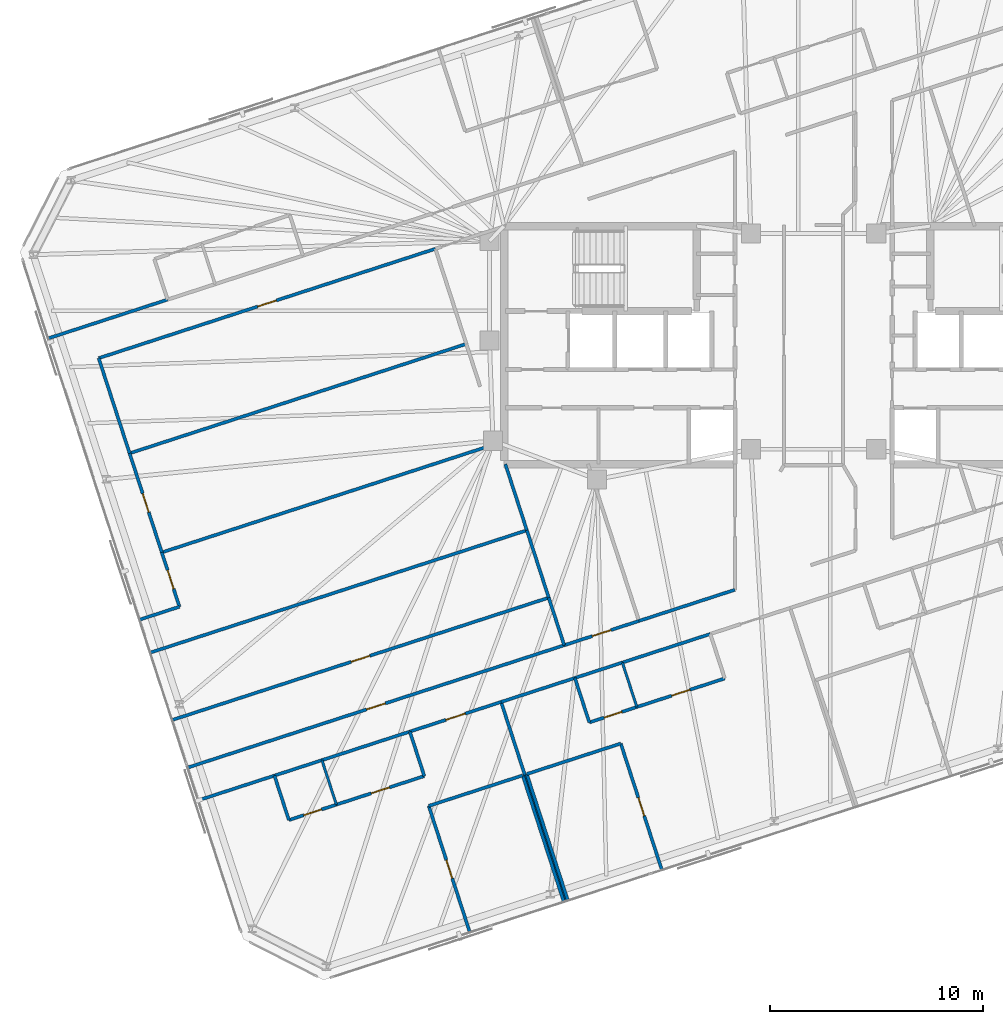
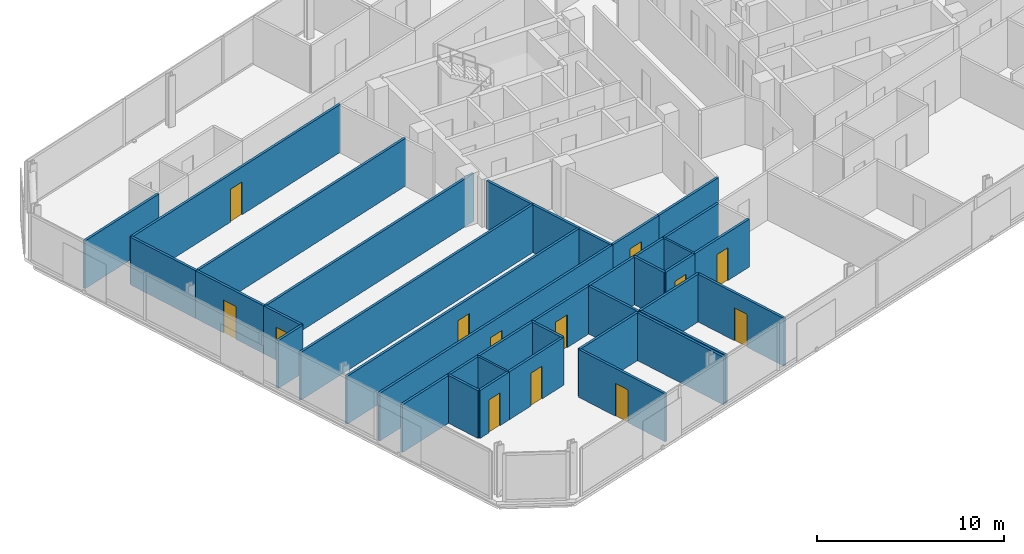
# One storey, part 13 of 19: 39 walls, 13 doors, 13 openings.
"""IFC4 building model written with IfcOpenShell, lengths in metres."""

import ifcopenshell
import ifcopenshell.guid

model = None  # the IFC model being written
_history = None  # IfcOwnerHistory: only IFC2X3 demands one
_inside = {}  # id of a spatial element -> (the spatial element, [elements in it])
_under = {}  # id of a project, library or spatial element -> (it, [spatial elements below it])
_declared = {}  # id of a project -> (the project, [libraries it declares])
_typed = {}  # id of a type object -> (the type object, [elements of that type])
_made_of = {}  # id of a material, layer set ... -> (it, [elements and type objects made of it])


def new_model(schema):
    """Start an empty IFC model of exactly this schema.

    Asked for "IFC4X3", IfcOpenShell would pick the latest addendum, in which some entities
    have other attributes; the version numbers below select the first issue.
    IFC2X3 requires an IfcOwnerHistory on every rooted entity: one is made here for all.
    """
    global model, _history
    if schema == "IFC4X3":
        model = ifcopenshell.file(schema_version=(4, 3, 0, 0))
    else:
        model = ifcopenshell.file(schema=schema)
    _inside.clear()
    _under.clear()
    _declared.clear()
    _typed.clear()
    _made_of.clear()
    _history = None
    if model.schema == "IFC2X3":
        org = make("IfcOrganization", Name="unknown")
        user = make(
            "IfcPersonAndOrganization",
            ThePerson=make("IfcPerson", FamilyName="unknown"),
            TheOrganization=org,
        )
        app = make(
            "IfcApplication",
            ApplicationDeveloper=org,
            Version="unknown",
            ApplicationFullName="unknown",
            ApplicationIdentifier="unknown",
        )
        _history = make(
            "IfcOwnerHistory",
            OwningUser=user,
            OwningApplication=app,
            ChangeAction="ADDED",
            CreationDate=0,
        )
    return model


def make(cls, **values):
    """One entity of the class cls with the attributes given. An attribute that is None is left unset."""
    return model.create_entity(
        cls, **{name: value for name, value in values.items() if value is not None}
    )


def rooted(cls, **values):
    """An entity with a GlobalId (a new one), such as an element, a storey or a relation."""
    return make(cls, GlobalId=ifcopenshell.guid.new(), OwnerHistory=_history, **values)


def si_unit(unit_type, name, prefix=None):
    """IfcSIUnit, for example si_unit("LENGTHUNIT", "METRE", prefix="MILLI")."""
    return make("IfcSIUnit", UnitType=unit_type, Prefix=prefix, Name=name)


def assignment(units):
    """IfcUnitAssignment: the units of a project."""
    return None if units is None else make("IfcUnitAssignment", Units=units)


def point(xyz):
    """IfcCartesianPoint."""
    return None if xyz is None else make("IfcCartesianPoint", Coordinates=xyz)


def direction(xyz):
    """IfcDirection."""
    return None if xyz is None else make("IfcDirection", DirectionRatios=xyz)


def frame(location, z_axis=None, x_axis=None):
    """IfcAxis2Placement3D, a coordinate frame: its origin and axes. An axis left out is left unset."""
    return make(
        "IfcAxis2Placement3D",
        Location=point(location),
        Axis=direction(z_axis),
        RefDirection=direction(x_axis),
    )


def frame_2d(location, x_axis=None):
    """IfcAxis2Placement2D, a coordinate frame in the plane: its origin and x axis."""
    return make(
        "IfcAxis2Placement2D", Location=point(location), RefDirection=direction(x_axis)
    )


def origin():
    """The frame at (0, 0, 0) with its axes left unset."""
    return frame((0.0, 0.0, 0.0))


def place(relative_to, where):
    """IfcLocalPlacement: puts the frame where relative to a parent placement (None: the world)."""
    return make(
        "IfcLocalPlacement", PlacementRelTo=relative_to, RelativePlacement=where
    )


def context(
    kind, dimensions, precision=None, world=None, true_north=None, identifier=None
):
    """IfcGeometricRepresentationContext, for example the 3D "Model" context."""
    return make(
        "IfcGeometricRepresentationContext",
        ContextIdentifier=identifier,
        ContextType=kind,
        CoordinateSpaceDimension=dimensions,
        Precision=precision,
        WorldCoordinateSystem=world,
        TrueNorth=true_north,
    )


def subcontext(parent, identifier, kind, view, scale=None):
    """IfcGeometricRepresentationSubContext, for example "Body" below "Model"."""
    return make(
        "IfcGeometricRepresentationSubContext",
        ContextIdentifier=identifier,
        ContextType=kind,
        ParentContext=parent,
        TargetScale=scale,
        TargetView=view,
    )


def project(units=None, contexts=None):
    """IfcProject with its units and contexts."""
    return rooted(
        "IfcProject",
        Name="project",
        RepresentationContexts=contexts,
        UnitsInContext=assignment(units),
    )


def spatial(cls, under=None, at=None, **own):
    """A site, building, storey or space (cls), placed at a placement, below another one or the project."""
    s = rooted(cls, ObjectPlacement=at, **own)
    if under is not None:
        _under.setdefault(under.id(), (under, []))[1].append(s)
    return s


def profile(cls, at=None, kind="AREA", **sizes):
    """A parametric profile (cls). Its sizes go by their IFC names, for example OverallWidth=200.0."""
    return make(cls, ProfileType=kind, Position=at, **sizes)


def rectangle(**sizes):
    """IfcRectangleProfileDef."""
    return profile("IfcRectangleProfileDef", **sizes)


def extrude(swept, where, along, depth):
    """IfcExtrudedAreaSolid: the profile swept, set in the frame where, extruded along a direction by depth."""
    return make(
        "IfcExtrudedAreaSolid",
        SweptArea=swept,
        Position=where,
        ExtrudedDirection=direction(along),
        Depth=depth,
    )


def shape(context_of_items, identifier, shape_type, items):
    """IfcShapeRepresentation: the items that make up one representation, for example the "Body"."""
    return make(
        "IfcShapeRepresentation",
        ContextOfItems=context_of_items,
        RepresentationIdentifier=identifier,
        RepresentationType=shape_type,
        Items=items,
    )


def material(Name=None, Category=None):
    """IfcMaterial."""
    return make("IfcMaterial", Name=Name, Category=Category)


def layer(
    of_material, thickness, ventilated=None, Name=None, Category=None, Priority=None
):
    """IfcMaterialLayer: one layer of a wall or slab, of a material (None: an air gap)."""
    return make(
        "IfcMaterialLayer",
        Material=of_material,
        LayerThickness=thickness,
        IsVentilated=ventilated,
        Name=Name,
        Category=Category,
        Priority=Priority,
    )


def layer_set(layers, Name=None):
    """IfcMaterialLayerSet."""
    return make("IfcMaterialLayerSet", MaterialLayers=layers, LayerSetName=Name)


def made_of(thing, what):
    """Note that an element or type object is made of a material, layer set ...; save() writes the relation."""
    if what is not None:
        _made_of.setdefault(what.id(), (what, []))[1].append(thing)
    return thing


def type_object(cls, material=None, **own):
    """A type object (cls), such as IfcWallType, which elements share."""
    return made_of(rooted(cls, **own), material)


def element(
    cls,
    number,
    at=None,
    inside=None,
    cuts=None,
    type_object=None,
    material=None,
    context=None,
    identifier="Body",
    shape_type=None,
    held_by="IfcProductDefinitionShape",
    body=None,
    shapes=None,
    **own,
):
    """One element of the class cls, such as IfcWall. Its Tag is "e" and its number.

    at: its placement. inside: the storey or other place that contains it. cuts: it is an
    opening in that element (IfcRelVoidsElement). A single representation is given by context,
    identifier, shape_type and body (its items); several are given by shapes. held_by: the class
    of the entity that holds the representations. save() writes the other relations.
    """
    e = rooted(cls, Tag="e%d" % number, ObjectPlacement=at, **own)
    if body is not None:
        shapes = [shape(context, identifier, shape_type, body)]
    if shapes is not None:
        e.Representation = make(held_by, Representations=shapes)
    if inside is not None:
        _inside.setdefault(inside.id(), (inside, []))[1].append(e)
    if cuts is not None:
        rooted(
            "IfcRelVoidsElement", RelatingBuildingElement=cuts, RelatedOpeningElement=e
        )
    if type_object is not None:
        _typed.setdefault(type_object.id(), (type_object, []))[1].append(e)
    return made_of(e, material)


def fill(opening, filler):
    """IfcRelFillsElement: the door or window that sits in an opening."""
    return rooted(
        "IfcRelFillsElement",
        RelatingOpeningElement=opening,
        RelatedBuildingElement=filler,
    )


def aggregate(whole, parts):
    """IfcRelAggregates: a whole, such as a stair, and the parts it consists of."""
    return rooted("IfcRelAggregates", RelatingObject=whole, RelatedObjects=parts)


def save(model, path):
    """Write the relations noted so far, then the file.

    IfcRelAggregates (storeys below a building ...), IfcRelContainedInSpatialStructure (elements
    in a storey), IfcRelDefinesByType, IfcRelAssociatesMaterial and IfcRelDeclares: one each for
    every whole, place, type object, material and project.
    """
    for whole, parts in _under.values():
        aggregate(whole, parts)
    for where, things in _inside.values():
        rooted(
            "IfcRelContainedInSpatialStructure",
            RelatedElements=things,
            RelatingStructure=where,
        )
    for kind, things in _typed.values():
        rooted("IfcRelDefinesByType", RelatedObjects=things, RelatingType=kind)
    for what, things in _made_of.values():
        rooted("IfcRelAssociatesMaterial", RelatedObjects=things, RelatingMaterial=what)
    for by, libraries in _declared.values():
        rooted("IfcRelDeclares", RelatingContext=by, RelatedDefinitions=libraries)
    model.write(path)


model = new_model("IFC4")

# Units and contexts
model_context = context("Model", 3, precision=1e-05, world=origin(), true_north=direction((0.0, 1.0)))
body_context = subcontext(model_context, "Body", "Model", "MODEL_VIEW")
ifc_project = project(units=[si_unit("LENGTHUNIT", "METRE"), si_unit("AREAUNIT", "SQUARE_METRE"), si_unit("VOLUMEUNIT", "CUBIC_METRE"), si_unit("PLANEANGLEUNIT", "RADIAN"), si_unit("MASSUNIT", "GRAM", prefix="KILO")], contexts=[model_context])

# Site, building, storey
site_placement = place(None, origin())
site = spatial("IfcSite", under=ifc_project, at=site_placement, CompositionType="ELEMENT")
building_placement = place(site_placement, origin())
building = spatial("IfcBuilding", under=site, at=building_placement, Name="Menara Jurai Vektor", CompositionType="ELEMENT")
storey_placement = place(building_placement, frame((0.0, 0.0, 220.949951171875)))
storey = spatial("IfcBuildingStorey", under=building, at=storey_placement, Name="L58", CompositionType="ELEMENT", Elevation=220.949951171875)

# Walls
ifc_material_1 = material(Name="Gypsum Fireboard Partition", Category="gypsum")
ifc_layer_1 = layer(ifc_material_1, 0.14990234375)
ifc_layer_set_1 = layer_set([ifc_layer_1], Name="Gypsum Fireboard Partition")
wall_type_1 = type_object("IfcWallType", Name="INT-WALL-CORR-150", PredefinedType="PARTITIONING", material=ifc_layer_set_1)
wall_1_placement = place(storey_placement, frame((-36.01220703125, 0.314208984375, 0.0), z_axis=(0.0, 0.0, 1.0), x_axis=(0.951065348244, 0.308989811111, 0.0)))
element("IfcWall", 1, at=wall_1_placement, inside=storey, type_object=wall_type_1, Name="Interior Wall IW-150 L58", PredefinedType="PARTITIONING", context=body_context, shape_type="SweptSolid", body=[
    extrude(rectangle(XDim=5.906982421875, YDim=0.14990234375, at=frame_2d((2.95361328125, 0.0))), origin(), (0.0, 0.0, 1.0), 3.125),
])
wall_2_placement = place(storey_placement, frame((-28.949951171875, -21.42138671875, 0.0), z_axis=(0.0, 0.0, 1.0), x_axis=(0.951052151329, 0.309030428036, 0.0)))
element("IfcWall", 2, at=wall_2_placement, inside=storey, type_object=wall_type_1, Name="Interior Wall IW-150 L58", PredefinedType="PARTITIONING", context=body_context, shape_type="SweptSolid", body=[
    extrude(rectangle(XDim=3.77001953125, YDim=0.14990234375, at=frame_2d((1.885009765625, 0.0))), origin(), (0.0, 0.0, 1.0), 3.125),
])

# Wall, opening, door
wall_3_placement = place(storey_placement, frame((-18.992431640625, -18.185791015625, 0.0), z_axis=(0.0, 0.0, 1.0), x_axis=(0.951067846467, 0.308982121516, 0.0)))
wall_3 = element("IfcWall", 3, at=wall_3_placement, inside=storey, type_object=wall_type_1, Name="Interior Wall IW-150 L58", PredefinedType="PARTITIONING", context=body_context, shape_type="SweptSolid", body=[
    extrude(rectangle(XDim=4.51416015625, YDim=0.14990234375, at=frame_2d((2.257080078125, 0.0))), origin(), (0.0, 0.0, 1.0), 3.125),
])
opening_1_placement = place(wall_3_placement, frame((1.781982421875, 0.0, 0.0)))
opening_1 = element("IfcOpeningElement", 4, at=opening_1_placement, cuts=wall_3, Name="Opening D58-18", PredefinedType="OPENING", context=body_context, shape_type="SweptSolid", body=[
    extrude(rectangle(XDim=0.949951171875, YDim=2.14990234375, at=frame_2d((0.47509765625, 1.074951171875))), frame((0.0, 0.0849609375, 0.0), z_axis=(0.0, -1.0, 0.0), x_axis=(1.0, 0.0, 0.0)), (0.0, 0.0, 1.0), 0.169921875),
])
ifc_material_2 = material(Name="Solid Core Timber Fire Door", Category="wood")
door_type_1 = type_object("IfcDoorType", Name="DR-ENTRY-950", OperationType="NOTDEFINED", PredefinedType="DOOR", material=ifc_material_2)
door_1_placement = place(opening_1_placement, origin())
door_1 = element("IfcDoor", 5, at=door_1_placement, inside=storey, type_object=door_type_1, Name="Interior Door D58-18", OperationType="SINGLE_SWING_RIGHT", OverallHeight=2.14990234375, OverallWidth=0.949951171875, PredefinedType="DOOR", context=body_context, shape_type="SweptSolid", body=[
    extrude(rectangle(XDim=0.949951171875, YDim=2.14990234375, at=frame_2d((0.47509765625, 1.074951171875))), frame((0.0, 0.02490234375, 0.0), z_axis=(0.0, -1.0, 0.0), x_axis=(1.0, 0.0, 0.0)), (0.0, 0.0, 1.0), 0.050048828125),
])
fill(opening_1, door_1)

# Walls
wall_4_placement = place(storey_placement, frame((-25.364501953125, -20.25634765625, 0.0), z_axis=(0.0, 0.0, 1.0), x_axis=(0.951076048914, 0.308956872689, 0.0)))
element("IfcWall", 6, at=wall_4_placement, inside=storey, type_object=wall_type_1, Name="Interior Wall IW-150 L58", PredefinedType="PARTITIONING", context=body_context, shape_type="SweptSolid", body=[
    extrude(rectangle(XDim=2.35009765625, YDim=0.14990234375, at=frame_2d((1.175048828125, 0.0))), origin(), (0.0, 0.0, 1.0), 3.125),
])
wall_5_placement = place(storey_placement, frame((-23.12939453125, -19.5302734375, 0.0), z_axis=(0.0, 0.0, 1.0), x_axis=(0.951036130958, 0.309079726951, 0.0)))
element("IfcWall", 7, at=wall_5_placement, inside=storey, type_object=wall_type_1, Name="Interior Wall IW-150 L58", PredefinedType="PARTITIONING", context=body_context, shape_type="SweptSolid", body=[
    extrude(rectangle(XDim=4.349853515625, YDim=0.14990234375, at=frame_2d((2.1748046875, 0.0))), origin(), (0.0, 0.0, 1.0), 3.125),
])
wall_6_placement = place(storey_placement, frame((-14.69921875, -16.791015625, 0.0), z_axis=(0.0, 0.0, 1.0), x_axis=(0.951050780541, 0.309034646652, 0.0)))
element("IfcWall", 8, at=wall_6_placement, inside=storey, type_object=wall_type_1, Name="Interior Wall IW-150 L58", PredefinedType="PARTITIONING", context=body_context, shape_type="SweptSolid", body=[
    extrude(rectangle(XDim=3.64990234375, YDim=0.14990234375, at=frame_2d((1.824951171875, 0.0))), origin(), (0.0, 0.0, 1.0), 3.125),
])
wall_7_placement = place(storey_placement, frame((-11.22802734375, -15.6630859375, 0.0), z_axis=(0.0, 0.0, 1.0), x_axis=(0.951076048914, 0.308956872689, 0.0)))
element("IfcWall", 9, at=wall_7_placement, inside=storey, type_object=wall_type_1, Name="Interior Wall IW-150 L58", PredefinedType="PARTITIONING", context=body_context, shape_type="SweptSolid", body=[
    extrude(rectangle(XDim=2.35009765625, YDim=0.14990234375, at=frame_2d((1.175048828125, 0.0))), origin(), (0.0, 0.0, 1.0), 3.125),
])
wall_8_placement = place(storey_placement, frame((-8.992919921875, -14.93701171875, 0.0), z_axis=(0.0, 0.0, 1.0), x_axis=(0.951052627573, 0.309028962374, 0.0)))
element("IfcWall", 10, at=wall_8_placement, inside=storey, type_object=wall_type_1, Name="Interior Wall IW-150 L58", PredefinedType="PARTITIONING", context=body_context, shape_type="SweptSolid", body=[
    extrude(rectangle(XDim=4.349853515625, YDim=0.14990234375, at=frame_2d((2.1748046875, 0.0))), origin(), (0.0, 0.0, 1.0), 3.125),
])

# Wall, opening, door
wall_9_placement = place(storey_placement, frame((-29.450439453125, -19.880615234375, 0.0), z_axis=(0.0, 0.0, 1.0), x_axis=(0.95105650271, 0.309017036186, 0.0)))
wall_9 = element("IfcWall", 11, at=wall_9_placement, inside=storey, type_object=wall_type_1, Name="Interior Wall IW-150 L58", PredefinedType="PARTITIONING", context=body_context, shape_type="SweptSolid", body=[
    extrude(rectangle(XDim=18.6318359375, YDim=0.14990234375, at=frame_2d((9.31591796875, 0.0))), origin(), (0.0, 0.0, 1.0), 3.125),
])
opening_2_placement = place(wall_9_placement, frame((8.85595703125, 0.0, 0.0)))
opening_2 = element("IfcOpeningElement", 12, at=opening_2_placement, cuts=wall_9, Name="Opening D58-34", PredefinedType="OPENING", context=body_context, shape_type="SweptSolid", body=[
    extrude(rectangle(XDim=0.919921875, YDim=2.14990234375, at=frame_2d((0.4599609375, 1.074951171875))), frame((0.0, 0.0849609375, 0.0), z_axis=(0.0, -1.0, 0.0), x_axis=(1.0, 0.0, 0.0)), (0.0, 0.0, 1.0), 0.169921875),
])
door_2_placement = place(opening_2_placement, origin())
door_2 = element("IfcDoor", 13, at=door_2_placement, inside=storey, type_object=door_type_1, Name="Interior Door D58-34", OperationType="SINGLE_SWING_RIGHT", OverallHeight=2.14990234375, OverallWidth=0.919921875, PredefinedType="DOOR", context=body_context, shape_type="SweptSolid", body=[
    extrude(rectangle(XDim=0.919921875, YDim=2.14990234375, at=frame_2d((0.4599609375, 1.074951171875))), frame((0.0, 0.02490234375, 0.0), z_axis=(0.0, -1.0, 0.0), x_axis=(1.0, 0.0, 0.0)), (0.0, 0.0, 1.0), 0.050048828125),
])
fill(opening_2, door_2)

# Wall
wall_10_placement = place(storey_placement, frame((-31.7119140625, -12.9208984375, 0.0), z_axis=(0.0, 0.0, 1.0), x_axis=(0.951054051148, 0.309024581215, 0.0)))
element("IfcWall", 14, at=wall_10_placement, inside=storey, type_object=wall_type_1, Name="Interior Wall IW-150 L58", PredefinedType="PARTITIONING", context=body_context, shape_type="SweptSolid", body=[
    extrude(rectangle(XDim=1.97509765625, YDim=0.14990234375, at=frame_2d((0.987548828125, 0.0))), origin(), (0.0, 0.0, 1.0), 3.125),
])

# Wall, opening, door
wall_11_placement = place(storey_placement, frame((-29.83349609375, -12.310546875, 0.0), z_axis=(0.0, 0.0, 1.0), x_axis=(-0.309044953986, 0.951047431213, 0.0)))
wall_11 = element("IfcWall", 15, at=wall_11_placement, inside=storey, type_object=wall_type_1, Name="Interior Wall IW-150 L58", PredefinedType="PARTITIONING", context=body_context, shape_type="SweptSolid", body=[
    extrude(rectangle(XDim=2.68505859375, YDim=0.14990234375, at=frame_2d((1.342529296875, 0.0))), origin(), (0.0, 0.0, 1.0), 3.125),
])
opening_3_placement = place(wall_11_placement, frame((0.882568359375, 0.0, 0.0)))
opening_3 = element("IfcOpeningElement", 16, at=opening_3_placement, cuts=wall_11, Name="Opening D58-36", PredefinedType="OPENING", context=body_context, shape_type="SweptSolid", body=[
    extrude(rectangle(XDim=0.919921875, YDim=2.14990234375, at=frame_2d((0.4599609375, 1.074951171875))), frame((0.0, 0.0849609375, 0.0), z_axis=(0.0, -1.0, 0.0), x_axis=(1.0, 0.0, 0.0)), (0.0, 0.0, 1.0), 0.169921875),
])
door_3_placement = place(opening_3_placement, origin())
door_3 = element("IfcDoor", 17, at=door_3_placement, inside=storey, type_object=door_type_1, Name="Interior Door D58-36", OperationType="SINGLE_SWING_RIGHT", OverallHeight=2.14990234375, OverallWidth=0.919921875, PredefinedType="DOOR", context=body_context, shape_type="SweptSolid", body=[
    extrude(rectangle(XDim=0.919921875, YDim=2.14990234375, at=frame_2d((0.4599609375, 1.074951171875))), frame((0.0, 0.02490234375, 0.0), z_axis=(0.0, -1.0, 0.0), x_axis=(1.0, 0.0, 0.0)), (0.0, 0.0, 1.0), 0.050048828125),
])
fill(opening_3, door_3)

wall_12_placement = place(storey_placement, frame((-30.663330078125, -9.7568359375, 0.0), z_axis=(0.0, 0.0, 1.0), x_axis=(-0.309019653166, 0.951055652397, 0.0)))
wall_12 = element("IfcWall", 18, at=wall_12_placement, inside=storey, type_object=wall_type_1, Name="Interior Wall IW-150 L58", PredefinedType="PARTITIONING", context=body_context, shape_type="SweptSolid", body=[
    extrude(rectangle(XDim=4.90380859375, YDim=0.14990234375, at=frame_2d((2.451904296875, 0.0))), origin(), (0.0, 0.0, 1.0), 3.125),
])
opening_4_placement = place(wall_12_placement, frame((1.991943359375, 0.0, 0.0)))
opening_4 = element("IfcOpeningElement", 19, at=opening_4_placement, cuts=wall_12, Name="Opening D58-37", PredefinedType="OPENING", context=body_context, shape_type="SweptSolid", body=[
    extrude(rectangle(XDim=0.919921875, YDim=2.14990234375, at=frame_2d((0.4599609375, 1.074951171875))), frame((0.0, 0.0849609375, 0.0), z_axis=(0.0, -1.0, 0.0), x_axis=(1.0, 0.0, 0.0)), (0.0, 0.0, 1.0), 0.169921875),
])
door_4_placement = place(opening_4_placement, origin())
door_4 = element("IfcDoor", 20, at=door_4_placement, inside=storey, type_object=door_type_1, Name="Interior Door D58-37", OperationType="SINGLE_SWING_LEFT", OverallHeight=2.14990234375, OverallWidth=0.919921875, PredefinedType="DOOR", context=body_context, shape_type="SweptSolid", body=[
    extrude(rectangle(XDim=0.919921875, YDim=2.14990234375, at=frame_2d((0.4599609375, 1.074951171875))), frame((0.0, 0.02490234375, 0.0), z_axis=(0.0, -1.0, 0.0), x_axis=(1.0, 0.0, 0.0)), (0.0, 0.0, 1.0), 0.050048828125),
])
fill(opening_4, door_4)

# Wall
wall_13_placement = place(storey_placement, frame((-32.1787109375, -5.093017578125, 0.0), z_axis=(0.0, 0.0, 1.0), x_axis=(-0.309014532869, 0.951057316083, 0.0)))
element("IfcWall", 21, at=wall_13_placement, inside=storey, type_object=wall_type_1, Name="Interior Wall IW-150 L58", PredefinedType="PARTITIONING", context=body_context, shape_type="SweptSolid", body=[
    extrude(rectangle(XDim=4.707275390625, YDim=0.14990234375, at=frame_2d((2.353515625, 0.0))), origin(), (0.0, 0.0, 1.0), 3.125),
])

# Wall, opening, door
wall_14_placement = place(storey_placement, frame((-33.63330078125, -0.6162109375, 0.0), z_axis=(0.0, 0.0, 1.0), x_axis=(0.951058192995, 0.309011833974, 0.0)))
wall_14 = element("IfcWall", 22, at=wall_14_placement, inside=storey, type_object=wall_type_1, Name="Interior Wall IW-150 L58", PredefinedType="PARTITIONING", context=body_context, shape_type="SweptSolid", body=[
    extrude(rectangle(XDim=16.656982421875, YDim=0.14990234375, at=frame_2d((8.32861328125, 0.0))), origin(), (0.0, 0.0, 1.0), 3.125),
])
opening_5_placement = place(wall_14_placement, frame((7.868408203125, 0.0, 0.0)))
opening_5 = element("IfcOpeningElement", 23, at=opening_5_placement, cuts=wall_14, Name="Opening D58-38", PredefinedType="OPENING", context=body_context, shape_type="SweptSolid", body=[
    extrude(rectangle(XDim=0.919921875, YDim=2.14990234375, at=frame_2d((0.4599609375, 1.074951171875))), frame((0.0, 0.0849609375, 0.0), z_axis=(0.0, -1.0, 0.0), x_axis=(1.0, 0.0, 0.0)), (0.0, 0.0, 1.0), 0.169921875),
])
door_5_placement = place(opening_5_placement, origin())
door_5 = element("IfcDoor", 24, at=door_5_placement, inside=storey, type_object=door_type_1, Name="Interior Door D58-38", OperationType="SINGLE_SWING_RIGHT", OverallHeight=2.14990234375, OverallWidth=0.919921875, PredefinedType="DOOR", context=body_context, shape_type="SweptSolid", body=[
    extrude(rectangle(XDim=0.919921875, YDim=2.14990234375, at=frame_2d((0.4599609375, 1.074951171875))), frame((0.0, 0.02490234375, 0.0), z_axis=(0.0, -1.0, 0.0), x_axis=(1.0, 0.0, 0.0)), (0.0, 0.0, 1.0), 0.050048828125),
])
fill(opening_5, door_5)

wall_15_placement = place(storey_placement, frame((-11.73046875, -14.123046875, 0.0), z_axis=(0.0, 0.0, 1.0), x_axis=(0.951052502763, 0.309029346483, 0.0)))
wall_15 = element("IfcWall", 25, at=wall_15_placement, inside=storey, type_object=wall_type_1, Name="Interior Wall IW-150 L58", PredefinedType="PARTITIONING", context=body_context, shape_type="SweptSolid", body=[
    extrude(rectangle(XDim=3.697998046875, YDim=0.14990234375, at=frame_2d((1.84912109375, 0.0))), origin(), (0.0, 0.0, 1.0), 3.125),
])
opening_6_placement = place(wall_15_placement, frame((1.388916015625, 0.0, 0.0)))
opening_6 = element("IfcOpeningElement", 26, at=opening_6_placement, cuts=wall_15, Name="Opening D58-43", PredefinedType="OPENING", context=body_context, shape_type="SweptSolid", body=[
    extrude(rectangle(XDim=0.919921875, YDim=2.14990234375, at=frame_2d((0.4599609375, 1.074951171875))), frame((0.0, 0.0849609375, 0.0), z_axis=(0.0, -1.0, 0.0), x_axis=(1.0, 0.0, 0.0)), (0.0, 0.0, 1.0), 0.169921875),
])
door_6_placement = place(opening_6_placement, origin())
door_6 = element("IfcDoor", 27, at=door_6_placement, inside=storey, type_object=door_type_1, Name="Interior Door D58-43", OperationType="SINGLE_SWING_LEFT", OverallHeight=2.14990234375, OverallWidth=0.919921875, PredefinedType="DOOR", context=body_context, shape_type="SweptSolid", body=[
    extrude(rectangle(XDim=0.919921875, YDim=2.14990234375, at=frame_2d((0.4599609375, 1.074951171875))), frame((0.0, 0.02490234375, 0.0), z_axis=(0.0, -1.0, 0.0), x_axis=(1.0, 0.0, 0.0)), (0.0, 0.0, 1.0), 0.050048828125),
])
fill(opening_6, door_6)

# Walls
wall_16_placement = place(storey_placement, frame((-8.21337890625, -12.980224609375, 0.0), z_axis=(0.0, 0.0, 1.0), x_axis=(0.951058260096, 0.309011627456, 0.0)))
element("IfcWall", 28, at=wall_16_placement, inside=storey, type_object=wall_type_1, Name="Interior Wall IW-150 L58", PredefinedType="PARTITIONING", context=body_context, shape_type="SweptSolid", body=[
    extrude(rectangle(XDim=4.745849609375, YDim=0.14990234375, at=frame_2d((2.373046875, 0.0))), origin(), (0.0, 0.0, 1.0), 3.125),
])
wall_17_placement = place(storey_placement, frame((-24.6845703125, -22.3486328125, 0.0), z_axis=(0.0, 0.0, 1.0), x_axis=(-0.309060979314, 0.951042223598, 0.0)))
element("IfcWall", 29, at=wall_17_placement, inside=storey, type_object=wall_type_1, Name="Interior Wall IW-150 L58", PredefinedType="PARTITIONING", context=body_context, shape_type="SweptSolid", body=[
    extrude(rectangle(XDim=2.199951171875, YDim=0.14990234375, at=frame_2d((1.10009765625, 0.0))), origin(), (0.0, 0.0, 1.0), 3.125),
])

# Wall, opening, door
wall_18_placement = place(storey_placement, frame((-24.6845703125, -22.3486328125, 0.0), z_axis=(0.0, 0.0, 1.0), x_axis=(0.951066131077, 0.308987401554, 0.0)))
wall_18 = element("IfcWall", 30, at=wall_18_placement, inside=storey, type_object=wall_type_1, Name="Interior Wall IW-150 L58", PredefinedType="PARTITIONING", context=body_context, shape_type="SweptSolid", body=[
    extrude(rectangle(XDim=2.349853515625, YDim=0.14990234375, at=frame_2d((1.1748046875, 0.0))), origin(), (0.0, 0.0, 1.0), 3.125),
])
opening_7_placement = place(wall_18_placement, frame((0.735107421875, 0.0, 0.0)))
opening_7 = element("IfcOpeningElement", 31, at=opening_7_placement, cuts=wall_18, Name="Opening D58-19", PredefinedType="OPENING", context=body_context, shape_type="SweptSolid", body=[
    extrude(rectangle(XDim=0.8798828125, YDim=2.14990234375, at=frame_2d((0.43994140625, 1.074951171875))), frame((0.0, 0.0849609375, 0.0), z_axis=(0.0, -1.0, 0.0), x_axis=(1.0, 0.0, 0.0)), (0.0, 0.0, 1.0), 0.169921875),
])
ifc_material_3 = material(Name="Moisture-Resistant Timber Door", Category="wood")
door_type_2 = type_object("IfcDoorType", Name="DR-BATH-880", OperationType="NOTDEFINED", PredefinedType="DOOR", material=ifc_material_3)
door_7_placement = place(opening_7_placement, origin())
door_7 = element("IfcDoor", 32, at=door_7_placement, inside=storey, type_object=door_type_2, Name="Interior Door D58-19", OperationType="SINGLE_SWING_LEFT", OverallHeight=2.14990234375, OverallWidth=0.8798828125, PredefinedType="DOOR", context=body_context, shape_type="SweptSolid", body=[
    extrude(rectangle(XDim=0.8798828125, YDim=2.14990234375, at=frame_2d((0.43994140625, 1.074951171875))), frame((0.0, 0.02490234375, 0.0), z_axis=(0.0, -1.0, 0.0), x_axis=(1.0, 0.0, 0.0)), (0.0, 0.0, 1.0), 0.050048828125),
])
fill(opening_7, door_7)

wall_19_placement = place(storey_placement, frame((-22.44970703125, -21.62255859375, 0.0), z_axis=(0.0, 0.0, 1.0), x_axis=(0.951057987102, 0.309012467661, 0.0)))
wall_19 = element("IfcWall", 33, at=wall_19_placement, inside=storey, type_object=wall_type_1, Name="Interior Wall IW-150 L58", PredefinedType="PARTITIONING", context=body_context, shape_type="SweptSolid", body=[
    extrude(rectangle(XDim=4.35009765625, YDim=0.14990234375, at=frame_2d((2.175048828125, 0.0))), origin(), (0.0, 0.0, 1.0), 3.125),
])
opening_8_placement = place(wall_19_placement, frame((1.72509765625, 0.0, 0.0)))
opening_8 = element("IfcOpeningElement", 34, at=opening_8_placement, cuts=wall_19, Name="Opening D58-20", PredefinedType="OPENING", context=body_context, shape_type="SweptSolid", body=[
    extrude(rectangle(XDim=0.89990234375, YDim=2.14990234375, at=frame_2d((0.449951171875, 1.074951171875))), frame((0.0, 0.0849609375, 0.0), z_axis=(0.0, -1.0, 0.0), x_axis=(1.0, 0.0, 0.0)), (0.0, 0.0, 1.0), 0.169921875),
])
ifc_material_4 = material(Name="Acoustic Timber Interior Door", Category="wood")
door_type_3 = type_object("IfcDoorType", Name="DR-ROOM-900", OperationType="NOTDEFINED", PredefinedType="DOOR", material=ifc_material_4)
door_8_placement = place(opening_8_placement, origin())
door_8 = element("IfcDoor", 35, at=door_8_placement, inside=storey, type_object=door_type_3, Name="Interior Door D58-20", OperationType="SINGLE_SWING_RIGHT", OverallHeight=2.14990234375, OverallWidth=0.89990234375, PredefinedType="DOOR", context=body_context, shape_type="SweptSolid", body=[
    extrude(rectangle(XDim=0.89990234375, YDim=2.14990234375, at=frame_2d((0.449951171875, 1.074951171875))), frame((0.0, 0.02490234375, 0.0), z_axis=(0.0, -1.0, 0.0), x_axis=(1.0, 0.0, 0.0)), (0.0, 0.0, 1.0), 0.050048828125),
])
fill(opening_8, door_8)

# Wall
wall_20_placement = place(storey_placement, frame((-18.3125, -20.2783203125, 0.0), z_axis=(0.0, 0.0, 1.0), x_axis=(-0.309028364152, 0.951052821956, 0.0)))
element("IfcWall", 36, at=wall_20_placement, inside=storey, type_object=wall_type_1, Name="Interior Wall IW-150 L58", PredefinedType="PARTITIONING", context=body_context, shape_type="SweptSolid", body=[
    extrude(rectangle(XDim=2.2001953125, YDim=0.14990234375, at=frame_2d((1.10009765625, 0.0))), origin(), (0.0, 0.0, 1.0), 3.125),
])

# Wall, opening, door
wall_21_placement = place(storey_placement, frame((-16.169189453125, -27.63818359375, 0.0), z_axis=(0.0, 0.0, 1.0), x_axis=(-0.309049046683, 0.951046101272, 0.0)))
wall_21 = element("IfcWall", 37, at=wall_21_placement, inside=storey, type_object=wall_type_1, Name="Interior Wall IW-150 L58", PredefinedType="PARTITIONING", context=body_context, shape_type="SweptSolid", body=[
    extrude(rectangle(XDim=6.26220703125, YDim=0.14990234375, at=frame_2d((3.131103515625, 0.0))), origin(), (0.0, 0.0, 1.0), 3.125),
])
opening_9_placement = place(wall_21_placement, frame((2.680908203125, 0.0, 0.0)))
opening_9 = element("IfcOpeningElement", 38, at=opening_9_placement, cuts=wall_21, Name="Opening D58-21", PredefinedType="OPENING", context=body_context, shape_type="SweptSolid", body=[
    extrude(rectangle(XDim=0.89990234375, YDim=2.14990234375, at=frame_2d((0.449951171875, 1.074951171875))), frame((0.0, 0.0849609375, 0.0), z_axis=(0.0, -1.0, 0.0), x_axis=(1.0, 0.0, 0.0)), (0.0, 0.0, 1.0), 0.169921875),
])
door_9_placement = place(opening_9_placement, origin())
door_9 = element("IfcDoor", 39, at=door_9_placement, inside=storey, type_object=door_type_3, Name="Interior Door D58-21", OperationType="SINGLE_SWING_LEFT", OverallHeight=2.14990234375, OverallWidth=0.89990234375, PredefinedType="DOOR", context=body_context, shape_type="SweptSolid", body=[
    extrude(rectangle(XDim=0.89990234375, YDim=2.14990234375, at=frame_2d((0.449951171875, 1.074951171875))), frame((0.0, 0.02490234375, 0.0), z_axis=(0.0, -1.0, 0.0), x_axis=(1.0, 0.0, 0.0)), (0.0, 0.0, 1.0), 0.050048828125),
])
fill(opening_9, door_9)

# Walls
wall_22_placement = place(storey_placement, frame((-18.1044921875, -21.6826171875, 0.0), z_axis=(0.0, 0.0, 1.0), x_axis=(0.951055286502, 0.309020779263, 0.0)))
element("IfcWall", 40, at=wall_22_placement, inside=storey, type_object=wall_type_1, Name="Interior Wall IW-150 L58", PredefinedType="PARTITIONING", context=body_context, shape_type="SweptSolid", body=[
    extrude(rectangle(XDim=4.650146484375, YDim=0.14990234375, at=frame_2d((2.3251953125, 0.0))), origin(), (0.0, 0.0, 1.0), 3.125),
])
wall_23_placement = place(storey_placement, frame((-11.746826171875, -26.201171875, 0.0), z_axis=(0.0, 0.0, 1.0), x_axis=(-0.309013782848, 0.951057559777, 0.0)))
element("IfcWall", 41, at=wall_23_placement, inside=storey, type_object=wall_type_1, Name="Interior Wall IW-150 L58", PredefinedType="PARTITIONING", context=body_context, shape_type="SweptSolid", body=[
    extrude(rectangle(XDim=6.261962890625, YDim=0.14990234375, at=frame_2d((3.130859375, 0.0))), origin(), (0.0, 0.0, 1.0), 3.125),
])
wall_24_placement = place(storey_placement, frame((-11.65185546875, -26.17041015625, 0.0), z_axis=(0.0, 0.0, 1.0), x_axis=(-0.308999867152, 0.951062081097, 0.0)))
element("IfcWall", 42, at=wall_24_placement, inside=storey, type_object=wall_type_1, Name="Interior Wall IW-150 L58", PredefinedType="PARTITIONING", context=body_context, shape_type="SweptSolid", body=[
    extrude(rectangle(XDim=9.862060546875, YDim=0.14990234375, at=frame_2d((4.93115234375, 0.0))), origin(), (0.0, 0.0, 1.0), 3.125),
])
wall_25_placement = place(storey_placement, frame((-10.548095703125, -17.75537109375, 0.0), z_axis=(0.0, 0.0, 1.0), x_axis=(-0.309060979314, 0.951042223598, 0.0)))
element("IfcWall", 43, at=wall_25_placement, inside=storey, type_object=wall_type_1, Name="Interior Wall IW-150 L58", PredefinedType="PARTITIONING", context=body_context, shape_type="SweptSolid", body=[
    extrude(rectangle(XDim=2.199951171875, YDim=0.14990234375, at=frame_2d((1.10009765625, 0.0))), origin(), (0.0, 0.0, 1.0), 3.125),
])

# Wall, opening, door
wall_26_placement = place(storey_placement, frame((-10.548095703125, -17.75537109375, 0.0), z_axis=(0.0, 0.0, 1.0), x_axis=(0.951076048914, 0.308956872689, 0.0)))
wall_26 = element("IfcWall", 44, at=wall_26_placement, inside=storey, type_object=wall_type_1, Name="Interior Wall IW-150 L58", PredefinedType="PARTITIONING", context=body_context, shape_type="SweptSolid", body=[
    extrude(rectangle(XDim=2.35009765625, YDim=0.14990234375, at=frame_2d((1.175048828125, 0.0))), origin(), (0.0, 0.0, 1.0), 3.125),
])
opening_10_placement = place(wall_26_placement, frame((0.735107421875, 0.0, 0.0)))
opening_10 = element("IfcOpeningElement", 45, at=opening_10_placement, cuts=wall_26, Name="Opening D58-23", PredefinedType="OPENING", context=body_context, shape_type="SweptSolid", body=[
    extrude(rectangle(XDim=0.8798828125, YDim=2.14990234375, at=frame_2d((0.43994140625, 1.074951171875))), frame((0.0, 0.0849609375, 0.0), z_axis=(0.0, -1.0, 0.0), x_axis=(1.0, 0.0, 0.0)), (0.0, 0.0, 1.0), 0.169921875),
])
door_10_placement = place(opening_10_placement, origin())
door_10 = element("IfcDoor", 46, at=door_10_placement, inside=storey, type_object=door_type_2, Name="Interior Door D58-23", OperationType="SINGLE_SWING_LEFT", OverallHeight=2.14990234375, OverallWidth=0.8798828125, PredefinedType="DOOR", context=body_context, shape_type="SweptSolid", body=[
    extrude(rectangle(XDim=0.8798828125, YDim=2.14990234375, at=frame_2d((0.43994140625, 1.074951171875))), frame((0.0, 0.02490234375, 0.0), z_axis=(0.0, -1.0, 0.0), x_axis=(1.0, 0.0, 0.0)), (0.0, 0.0, 1.0), 0.050048828125),
])
fill(opening_10, door_10)

wall_27_placement = place(storey_placement, frame((-8.31298828125, -17.029296875, 0.0), z_axis=(0.0, 0.0, 1.0), x_axis=(0.951052627573, 0.309028962374, 0.0)))
wall_27 = element("IfcWall", 47, at=wall_27_placement, inside=storey, type_object=wall_type_1, Name="Interior Wall IW-150 L58", PredefinedType="PARTITIONING", context=body_context, shape_type="SweptSolid", body=[
    extrude(rectangle(XDim=4.349853515625, YDim=0.14990234375, at=frame_2d((2.1748046875, 0.0))), origin(), (0.0, 0.0, 1.0), 3.125),
])
opening_11_placement = place(wall_27_placement, frame((1.72509765625, 0.0, 0.0)))
opening_11 = element("IfcOpeningElement", 48, at=opening_11_placement, cuts=wall_27, Name="Opening D58-24", PredefinedType="OPENING", context=body_context, shape_type="SweptSolid", body=[
    extrude(rectangle(XDim=0.89990234375, YDim=2.14990234375, at=frame_2d((0.449951171875, 1.074951171875))), frame((0.0, 0.0849609375, 0.0), z_axis=(0.0, -1.0, 0.0), x_axis=(1.0, 0.0, 0.0)), (0.0, 0.0, 1.0), 0.169921875),
])
door_11_placement = place(opening_11_placement, origin())
door_11 = element("IfcDoor", 49, at=door_11_placement, inside=storey, type_object=door_type_3, Name="Interior Door D58-24", OperationType="SINGLE_SWING_RIGHT", OverallHeight=2.14990234375, OverallWidth=0.89990234375, PredefinedType="DOOR", context=body_context, shape_type="SweptSolid", body=[
    extrude(rectangle(XDim=0.89990234375, YDim=2.14990234375, at=frame_2d((0.449951171875, 1.074951171875))), frame((0.0, 0.02490234375, 0.0), z_axis=(0.0, -1.0, 0.0), x_axis=(1.0, 0.0, 0.0)), (0.0, 0.0, 1.0), 0.050048828125),
])
fill(opening_11, door_11)

# Walls
wall_28_placement = place(storey_placement, frame((-11.556640625, -26.139404296875, 0.0), z_axis=(0.0, 0.0, 1.0), x_axis=(-0.309013782848, 0.951057559777, 0.0)))
element("IfcWall", 50, at=wall_28_placement, inside=storey, type_object=wall_type_1, Name="Interior Wall IW-150 L58", PredefinedType="PARTITIONING", context=body_context, shape_type="SweptSolid", body=[
    extrude(rectangle(XDim=6.261962890625, YDim=0.14990234375, at=frame_2d((3.130859375, 0.0))), origin(), (0.0, 0.0, 1.0), 3.125),
])
wall_29_placement = place(storey_placement, frame((-13.49169921875, -20.183837890625, 0.0), z_axis=(0.0, 0.0, 1.0), x_axis=(0.951065702951, 0.308988719326, 0.0)))
element("IfcWall", 51, at=wall_29_placement, inside=storey, type_object=wall_type_1, Name="Interior Wall IW-150 L58", PredefinedType="PARTITIONING", context=body_context, shape_type="SweptSolid", body=[
    extrude(rectangle(XDim=4.64990234375, YDim=0.14990234375, at=frame_2d((2.324951171875, 0.0))), origin(), (0.0, 0.0, 1.0), 3.125),
])

# Wall, opening, door
wall_30_placement = place(storey_placement, frame((-7.13427734375, -24.702392578125, 0.0), z_axis=(0.0, 0.0, 1.0), x_axis=(-0.30902524124, 0.951053836687, 0.0)))
wall_30 = element("IfcWall", 52, at=wall_30_placement, inside=storey, type_object=wall_type_1, Name="Interior Wall IW-150 L58", PredefinedType="PARTITIONING", context=body_context, shape_type="SweptSolid", body=[
    extrude(rectangle(XDim=6.26171875, YDim=0.14990234375, at=frame_2d((3.130859375, 0.0))), origin(), (0.0, 0.0, 1.0), 3.125),
])
opening_12_placement = place(wall_30_placement, frame((2.680908203125, 0.0, 0.0)))
opening_12 = element("IfcOpeningElement", 53, at=opening_12_placement, cuts=wall_30, Name="Opening D58-25", PredefinedType="OPENING", context=body_context, shape_type="SweptSolid", body=[
    extrude(rectangle(XDim=0.89990234375, YDim=2.14990234375, at=frame_2d((0.449951171875, 1.074951171875))), frame((0.0, 0.0849609375, 0.0), z_axis=(0.0, -1.0, 0.0), x_axis=(1.0, 0.0, 0.0)), (0.0, 0.0, 1.0), 0.169921875),
])
door_12_placement = place(opening_12_placement, origin())
door_12 = element("IfcDoor", 54, at=door_12_placement, inside=storey, type_object=door_type_3, Name="Interior Door D58-25", OperationType="SINGLE_SWING_LEFT", OverallHeight=2.14990234375, OverallWidth=0.89990234375, PredefinedType="DOOR", context=body_context, shape_type="SweptSolid", body=[
    extrude(rectangle(XDim=0.89990234375, YDim=2.14990234375, at=frame_2d((0.449951171875, 1.074951171875))), frame((0.0, 0.02490234375, 0.0), z_axis=(0.0, -1.0, 0.0), x_axis=(1.0, 0.0, 0.0)), (0.0, 0.0, 1.0), 0.050048828125),
])
fill(opening_12, door_12)

wall_31_placement = place(storey_placement, frame((-30.177978515625, -17.641845703125, 0.0), z_axis=(0.0, 0.0, 1.0), x_axis=(0.95105650271, 0.309017036186, 0.0)))
wall_31 = element("IfcWall", 55, at=wall_31_placement, inside=storey, type_object=wall_type_1, Name="Interior Wall IW-150 L58", PredefinedType="PARTITIONING", context=body_context, shape_type="SweptSolid", body=[
    extrude(rectangle(XDim=18.6318359375, YDim=0.14990234375, at=frame_2d((9.31591796875, 0.0))), origin(), (0.0, 0.0, 1.0), 3.125),
])
opening_13_placement = place(wall_31_placement, frame((8.85595703125, 0.0, 0.0)))
opening_13 = element("IfcOpeningElement", 56, at=opening_13_placement, cuts=wall_31, Name="Opening D58-35", PredefinedType="OPENING", context=body_context, shape_type="SweptSolid", body=[
    extrude(rectangle(XDim=0.919921875, YDim=2.14990234375, at=frame_2d((0.4599609375, 1.074951171875))), frame((0.0, 0.0849609375, 0.0), z_axis=(0.0, -1.0, 0.0), x_axis=(1.0, 0.0, 0.0)), (0.0, 0.0, 1.0), 0.169921875),
])
door_13_placement = place(opening_13_placement, origin())
door_13 = element("IfcDoor", 57, at=door_13_placement, inside=storey, type_object=door_type_1, Name="Interior Door D58-35", OperationType="SINGLE_SWING_LEFT", OverallHeight=2.14990234375, OverallWidth=0.919921875, PredefinedType="DOOR", context=body_context, shape_type="SweptSolid", body=[
    extrude(rectangle(XDim=0.919921875, YDim=2.14990234375, at=frame_2d((0.4599609375, 1.074951171875))), frame((0.0, 0.02490234375, 0.0), z_axis=(0.0, -1.0, 0.0), x_axis=(1.0, 0.0, 0.0)), (0.0, 0.0, 1.0), 0.050048828125),
])
fill(opening_13, door_13)

# Walls
wall_32_placement = place(storey_placement, frame((-11.73046875, -14.123046875, 0.0), z_axis=(0.0, 0.0, 1.0), x_axis=(-0.309062621189, 0.951041690035, 0.0)))
element("IfcWall", 58, at=wall_32_placement, inside=storey, type_object=wall_type_1, Name="Interior Wall IW-150 L58", PredefinedType="PARTITIONING", context=body_context, shape_type="SweptSolid", body=[
    extrude(rectangle(XDim=2.35400390625, YDim=0.14990234375, at=frame_2d((1.177001953125, 0.0))), origin(), (0.0, 0.0, 1.0), 3.125),
])
wall_33_placement = place(storey_placement, frame((-31.208251953125, -14.470947265625, 0.0), z_axis=(0.0, 0.0, 1.0), x_axis=(0.951057753948, 0.309013185244, 0.0)))
element("IfcWall", 59, at=wall_33_placement, inside=storey, type_object=wall_type_1, Name="Interior Wall IW-150 L58", PredefinedType="PARTITIONING", context=body_context, shape_type="SweptSolid", body=[
    extrude(rectangle(XDim=18.632080078125, YDim=0.14990234375, at=frame_2d((9.31591796875, 0.0))), origin(), (0.0, 0.0, 1.0), 3.125),
])
wall_34_placement = place(storey_placement, frame((-12.4580078125, -11.88427734375, 0.0), z_axis=(0.0, 0.0, 1.0), x_axis=(-0.308946982245, 0.951079261766, 0.0)))
element("IfcWall", 60, at=wall_34_placement, inside=storey, type_object=wall_type_1, Name="Interior Wall IW-150 L58", PredefinedType="PARTITIONING", context=body_context, shape_type="SweptSolid", body=[
    extrude(rectangle(XDim=3.333984375, YDim=0.14990234375, at=frame_2d((1.6669921875, 0.0))), origin(), (0.0, 0.0, 1.0), 3.125),
])
wall_35_placement = place(storey_placement, frame((-30.663330078125, -9.7568359375, 0.0), z_axis=(0.0, 0.0, 1.0), x_axis=(0.951058192995, 0.309011833974, 0.0)))
element("IfcWall", 61, at=wall_35_placement, inside=storey, type_object=wall_type_1, Name="Interior Wall IW-150 L58", PredefinedType="PARTITIONING", context=body_context, shape_type="SweptSolid", body=[
    extrude(rectangle(XDim=16.656982421875, YDim=0.14990234375, at=frame_2d((8.32861328125, 0.0))), origin(), (0.0, 0.0, 1.0), 3.125),
])
wall_36_placement = place(storey_placement, frame((-13.488037109375, -8.71337890625, 0.0), z_axis=(0.0, 0.0, 1.0), x_axis=(-0.309082700143, 0.951035164687, 0.0)))
element("IfcWall", 62, at=wall_36_placement, inside=storey, type_object=wall_type_1, Name="Interior Wall IW-150 L58", PredefinedType="PARTITIONING", context=body_context, shape_type="SweptSolid", body=[
    extrude(rectangle(XDim=3.274169921875, YDim=0.14990234375, at=frame_2d((1.63720703125, 0.0))), origin(), (0.0, 0.0, 1.0), 3.125),
])
wall_37_placement = place(storey_placement, frame((-32.1787109375, -5.093017578125, 0.0), z_axis=(0.0, 0.0, 1.0), x_axis=(0.951053885426, 0.309025091239, 0.0)))
element("IfcWall", 63, at=wall_37_placement, inside=storey, type_object=wall_type_1, Name="Interior Wall IW-150 L58", PredefinedType="PARTITIONING", context=body_context, shape_type="SweptSolid", body=[
    extrude(rectangle(XDim=16.656982421875, YDim=0.14990234375, at=frame_2d((8.32861328125, 0.0))), origin(), (0.0, 0.0, 1.0), 3.125),
])
ifc_material_5 = material(Name="Gypsum Acoustic Stud Partition", Category="gypsum")
ifc_layer_2 = layer(ifc_material_5, 0.1201171875)
ifc_layer_set_2 = layer_set([ifc_layer_2], Name="Gypsum Acoustic Stud Partition")
wall_type_2 = type_object("IfcWallType", Name="INT-WALL-PART-120", PredefinedType="PARTITIONING", material=ifc_layer_set_2)
for number, where, z_axis, x_axis, name in (
    (64, (-22.44970703125, -21.62255859375, 0.0), (0.0, 0.0, 1.0), (-0.308960600764, 0.951074837842, 0.0), "Interior Wall IW-120 L58"),
    (65, (-8.31298828125, -17.029296875, 0.0), (0.0, 0.0, 1.0), (-0.309060979314, 0.951042223598, 0.0), "Interior Wall IW-120 L58"),
):
    element("IfcWall", number, at=place(storey_placement, frame(where, z_axis=z_axis, x_axis=x_axis)), inside=storey, type_object=wall_type_2, Name=name, PredefinedType="PARTITIONING", context=body_context, shape_type="SweptSolid", body=[
        extrude(rectangle(XDim=2.199951171875, YDim=0.1201171875, at=frame_2d((1.10009765625, 0.0))), origin(), (0.0, 0.0, 1.0), 3.125),
    ])

save(model, "model.ifc")
